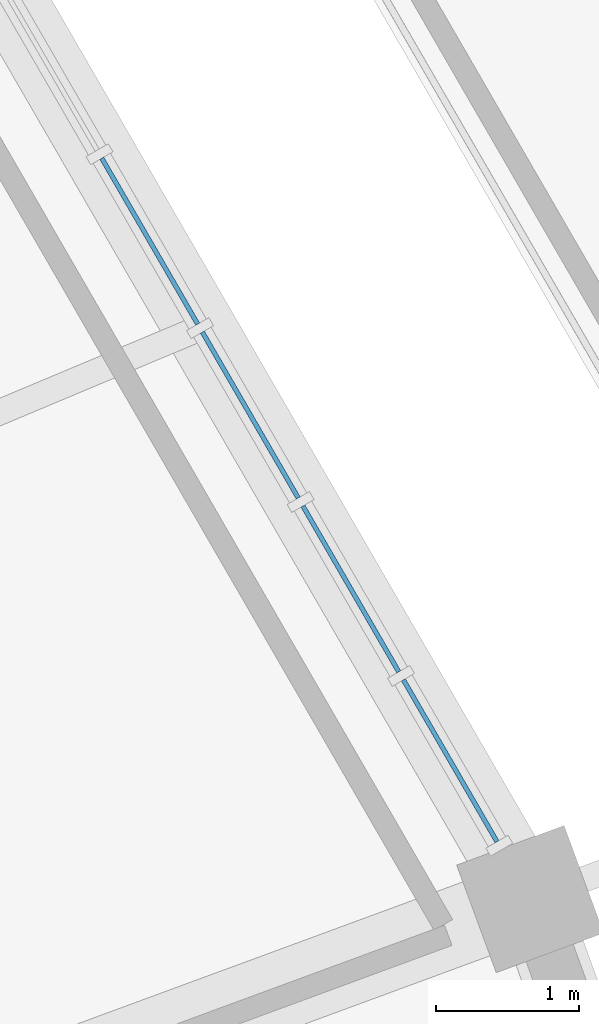
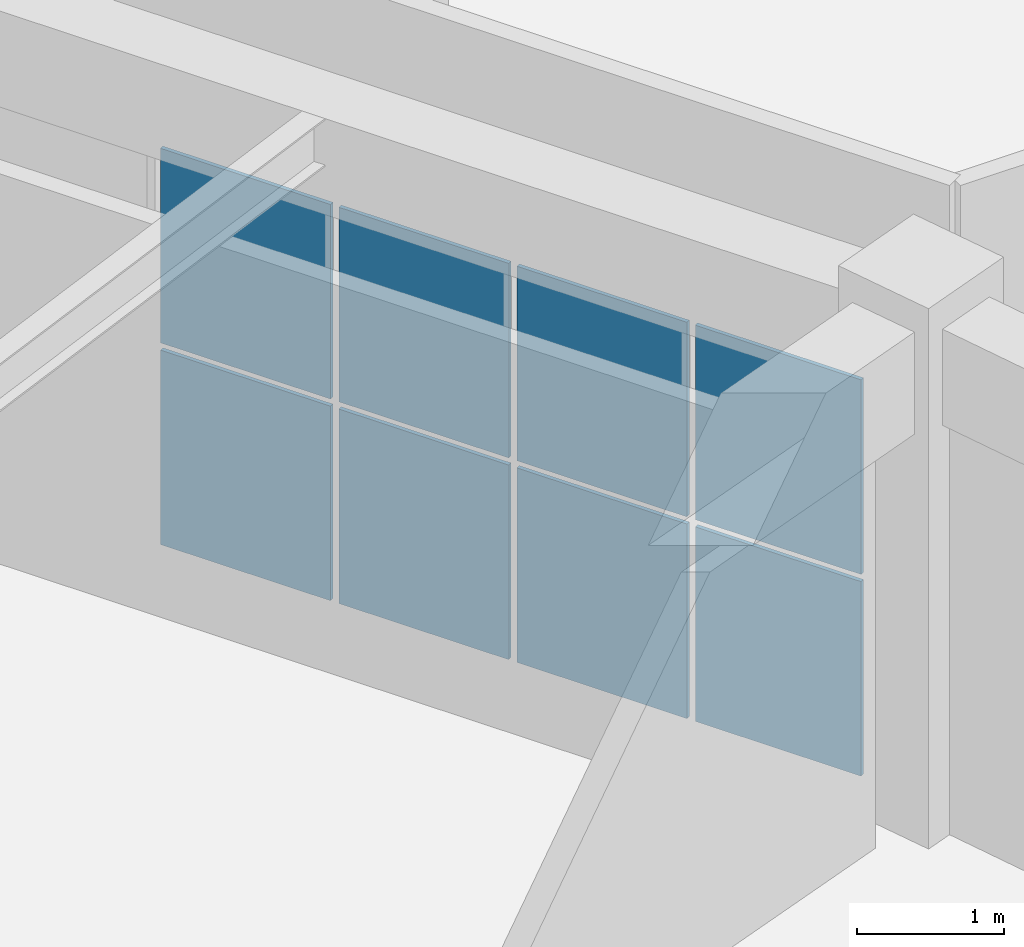
# One storey, part 85 of 145: 8 plates, 1 element without a shape of its own.
"""IFC4 building model written with IfcOpenShell, lengths in metres."""

from ifc_helpers import new_model, si_unit, direction, frame, origin, origin_2d, place, context, subcontext, project, spatial, rectangle, extrude, material, layer, layer_set, type_object, element, aggregate, save


model = new_model("IFC4")

# Units and contexts
model_context = context("Model", 3, precision=1e-05, world=origin(), true_north=direction((0.0, 1.0)))
body_context = subcontext(model_context, "Body", "Model", "MODEL_VIEW")
ifc_project = project(units=[si_unit("LENGTHUNIT", "METRE"), si_unit("AREAUNIT", "SQUARE_METRE"), si_unit("VOLUMEUNIT", "CUBIC_METRE"), si_unit("PLANEANGLEUNIT", "RADIAN"), si_unit("MASSUNIT", "GRAM", prefix="KILO")], contexts=[model_context])

# Site, building, storey
site_placement = place(None, origin())
site = spatial("IfcSite", under=ifc_project, at=site_placement, CompositionType="ELEMENT")
building_placement = place(site_placement, origin())
building = spatial("IfcBuilding", under=site, at=building_placement, Name="Mphavela Belvedere Stadium", CompositionType="ELEMENT")
storey_placement = place(building_placement, frame((0.0, 0.0, 10.199951171875)))
storey = spatial("IfcBuildingStorey", under=building, at=storey_placement, Name="L02", CompositionType="ELEMENT", Elevation=10.199951171875)

# Curtain wall, plates
ifc_material_1 = material(Name="Anodised bronze unitised curtain wall framing")
ifc_layer_1 = layer(ifc_material_1, 0.18505859375)
ifc_layer_set_1 = layer_set([ifc_layer_1], Name="Anodised bronze unitised curtain wall framing")
curtain_wall_type = type_object("IfcCurtainWallType", Name="CW-UNIT-02", PredefinedType="USERDEFINED", material=ifc_layer_set_1)
curtain_wall_placement = place(storey_placement, origin())
curtain_wall = element("IfcCurtainWall", 1, at=curtain_wall_placement, inside=storey, type_object=curtain_wall_type, Name="Belvedere colonnade curtain wall L02-04", ObjectType="UNITISED CURTAIN WALL", PredefinedType="USERDEFINED")
ifc_material_2 = material(Name="Solar-control double glazing", Category="glass")
ifc_layer_2 = layer(ifc_material_2, 0.031982421875)
ifc_layer_set_2 = layer_set([ifc_layer_2], Name="Solar-control double glazing")
plate_type = type_object("IfcPlateType", Name="CWP-SOLAR-GLASS", PredefinedType="CURTAIN_PANEL", material=ifc_layer_set_2)
plate_1_placement = place(storey_placement, frame((211.297607421875, 123.6484375, 0.06005859375), z_axis=(0.0, 0.0, 1.0), x_axis=(-0.500562469533, 0.865700418213, 0.0)))
plate_1 = element("IfcPlate", 2, at=plate_1_placement, type_object=plate_type, Name="CW-02 panel 1.1", PredefinedType="CURTAIN_PANEL", context=body_context, shape_type="SweptSolid", body=[
    extrude(rectangle(XDim=1.305908203125, YDim=0.031982421875, at=origin_2d()), origin(), (0.0, 0.0, 1.0), 1.6201171875),
])
plate_2_placement = place(storey_placement, frame((211.297607421875, 123.6484375, 1.739990234375), z_axis=(0.0, 0.0, 1.0), x_axis=(-0.500562469533, 0.865700418213, 0.0)))
plate_2 = element("IfcPlate", 3, at=plate_2_placement, type_object=plate_type, Name="CW-02 panel 1.2", PredefinedType="CURTAIN_PANEL", context=body_context, shape_type="SweptSolid", body=[
    extrude(rectangle(XDim=1.305908203125, YDim=0.031982421875, at=origin_2d()), origin(), (0.0, 0.0, 1.0), 1.6201171875),
])
plate_3_placement = place(storey_placement, frame((210.60302734375, 124.849365234375, 0.06005859375), z_axis=(0.0, 0.0, 1.0), x_axis=(-0.500562469533, 0.865700418213, 0.0)))
plate_3 = element("IfcPlate", 4, at=plate_3_placement, type_object=plate_type, Name="CW-02 panel 2.1", PredefinedType="CURTAIN_PANEL", context=body_context, shape_type="SweptSolid", body=[
    extrude(rectangle(XDim=1.33837890625, YDim=0.031982421875, at=origin_2d()), origin(), (0.0, 0.0, 1.0), 1.6201171875),
])
plate_4_placement = place(storey_placement, frame((210.60302734375, 124.849365234375, 1.739990234375), z_axis=(0.0, 0.0, 1.0), x_axis=(-0.500562469533, 0.865700418213, 0.0)))
plate_4 = element("IfcPlate", 5, at=plate_4_placement, type_object=plate_type, Name="CW-02 panel 2.2", PredefinedType="CURTAIN_PANEL", context=body_context, shape_type="SweptSolid", body=[
    extrude(rectangle(XDim=1.33837890625, YDim=0.031982421875, at=origin_2d()), origin(), (0.0, 0.0, 1.0), 1.6201171875),
])
plate_5_placement = place(storey_placement, frame((209.900634765625, 126.064453125, 0.06005859375), z_axis=(0.0, 0.0, 1.0), x_axis=(-0.500562469533, 0.865700418213, 0.0)))
plate_5 = element("IfcPlate", 6, at=plate_5_placement, type_object=plate_type, Name="CW-02 panel 3.1", PredefinedType="CURTAIN_PANEL", context=body_context, shape_type="SweptSolid", body=[
    extrude(rectangle(XDim=1.33837890625, YDim=0.031982421875, at=origin_2d()), origin(), (0.0, 0.0, 1.0), 1.6201171875),
])
plate_6_placement = place(storey_placement, frame((209.900634765625, 126.064453125, 1.739990234375), z_axis=(0.0, 0.0, 1.0), x_axis=(-0.500562469533, 0.865700418213, 0.0)))
plate_6 = element("IfcPlate", 7, at=plate_6_placement, type_object=plate_type, Name="CW-02 panel 3.2", PredefinedType="CURTAIN_PANEL", context=body_context, shape_type="SweptSolid", body=[
    extrude(rectangle(XDim=1.33837890625, YDim=0.031982421875, at=origin_2d()), origin(), (0.0, 0.0, 1.0), 1.6201171875),
])
plate_7_placement = place(storey_placement, frame((209.197998046875, 127.279296875, 0.06005859375), z_axis=(0.0, 0.0, 1.0), x_axis=(-0.500562469533, 0.865700418213, 0.0)))
plate_7 = element("IfcPlate", 8, at=plate_7_placement, type_object=plate_type, Name="CW-02 panel 4.1", PredefinedType="CURTAIN_PANEL", context=body_context, shape_type="SweptSolid", body=[
    extrude(rectangle(XDim=1.33837890625, YDim=0.031982421875, at=origin_2d()), origin(), (0.0, 0.0, 1.0), 1.6201171875),
])
plate_8_placement = place(storey_placement, frame((209.197998046875, 127.279296875, 1.739990234375), z_axis=(0.0, 0.0, 1.0), x_axis=(-0.500562469533, 0.865700418213, 0.0)))
plate_8 = element("IfcPlate", 9, at=plate_8_placement, type_object=plate_type, Name="CW-02 panel 4.2", PredefinedType="CURTAIN_PANEL", context=body_context, shape_type="SweptSolid", body=[
    extrude(rectangle(XDim=1.33837890625, YDim=0.031982421875, at=origin_2d()), origin(), (0.0, 0.0, 1.0), 1.6201171875),
])
aggregate(curtain_wall, [plate_1, plate_2, plate_3, plate_4, plate_5, plate_6, plate_7, plate_8])

save(model, "model.ifc")
